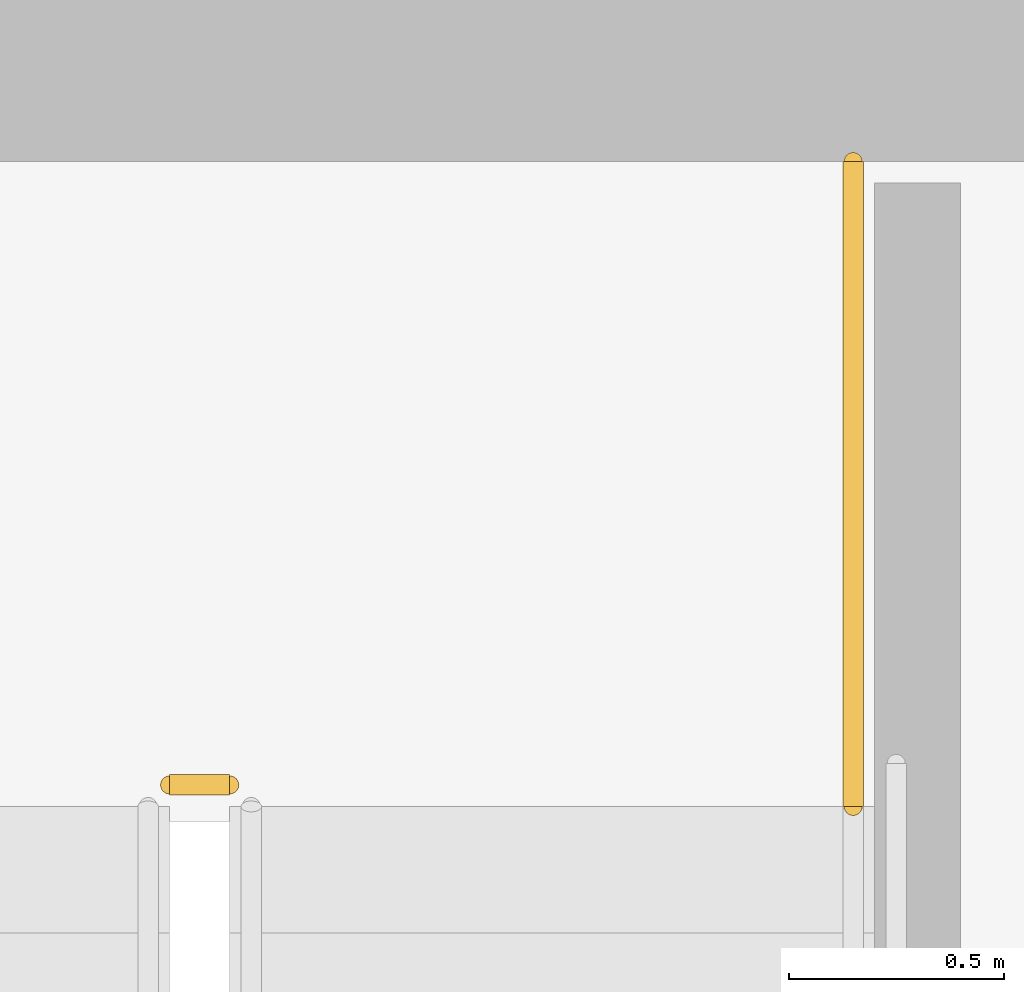
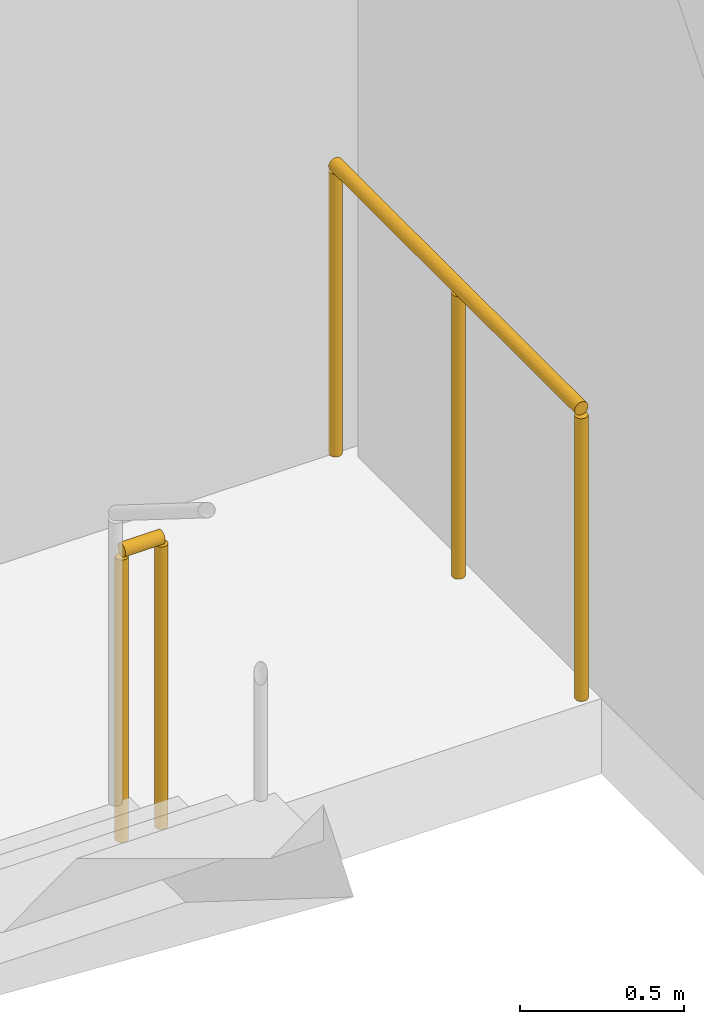
# One storey, part 26 of 26: 2 railings.
"""IFC4 building model written with IfcOpenShell, lengths in metres."""

import ifcopenshell
import ifcopenshell.guid

model = None  # the IFC model being written
_history = None  # IfcOwnerHistory: only IFC2X3 demands one
_inside = {}  # id of a spatial element -> (the spatial element, [elements in it])
_under = {}  # id of a project, library or spatial element -> (it, [spatial elements below it])
_declared = {}  # id of a project -> (the project, [libraries it declares])
_typed = {}  # id of a type object -> (the type object, [elements of that type])
_made_of = {}  # id of a material, layer set ... -> (it, [elements and type objects made of it])


def new_model(schema):
    """Start an empty IFC model of exactly this schema.

    Asked for "IFC4X3", IfcOpenShell would pick the latest addendum, in which some entities
    have other attributes; the version numbers below select the first issue.
    IFC2X3 requires an IfcOwnerHistory on every rooted entity: one is made here for all.
    """
    global model, _history
    if schema == "IFC4X3":
        model = ifcopenshell.file(schema_version=(4, 3, 0, 0))
    else:
        model = ifcopenshell.file(schema=schema)
    _inside.clear()
    _under.clear()
    _declared.clear()
    _typed.clear()
    _made_of.clear()
    _history = None
    if model.schema == "IFC2X3":
        org = make("IfcOrganization", Name="unknown")
        user = make(
            "IfcPersonAndOrganization",
            ThePerson=make("IfcPerson", FamilyName="unknown"),
            TheOrganization=org,
        )
        app = make(
            "IfcApplication",
            ApplicationDeveloper=org,
            Version="unknown",
            ApplicationFullName="unknown",
            ApplicationIdentifier="unknown",
        )
        _history = make(
            "IfcOwnerHistory",
            OwningUser=user,
            OwningApplication=app,
            ChangeAction="ADDED",
            CreationDate=0,
        )
    return model


def make(cls, **values):
    """One entity of the class cls with the attributes given. An attribute that is None is left unset."""
    return model.create_entity(
        cls, **{name: value for name, value in values.items() if value is not None}
    )


def rooted(cls, **values):
    """An entity with a GlobalId (a new one), such as an element, a storey or a relation."""
    return make(cls, GlobalId=ifcopenshell.guid.new(), OwnerHistory=_history, **values)


def si_unit(unit_type, name, prefix=None):
    """IfcSIUnit, for example si_unit("LENGTHUNIT", "METRE", prefix="MILLI")."""
    return make("IfcSIUnit", UnitType=unit_type, Prefix=prefix, Name=name)


def assignment(units):
    """IfcUnitAssignment: the units of a project."""
    return None if units is None else make("IfcUnitAssignment", Units=units)


def point(xyz):
    """IfcCartesianPoint."""
    return None if xyz is None else make("IfcCartesianPoint", Coordinates=xyz)


def direction(xyz):
    """IfcDirection."""
    return None if xyz is None else make("IfcDirection", DirectionRatios=xyz)


def frame(location, z_axis=None, x_axis=None):
    """IfcAxis2Placement3D, a coordinate frame: its origin and axes. An axis left out is left unset."""
    return make(
        "IfcAxis2Placement3D",
        Location=point(location),
        Axis=direction(z_axis),
        RefDirection=direction(x_axis),
    )


def frame_2d(location, x_axis=None):
    """IfcAxis2Placement2D, a coordinate frame in the plane: its origin and x axis."""
    return make(
        "IfcAxis2Placement2D", Location=point(location), RefDirection=direction(x_axis)
    )


def origin():
    """The frame at (0, 0, 0) with its axes left unset."""
    return frame((0.0, 0.0, 0.0))


def origin_2d():
    """The frame at (0, 0) in the plane with its x axis left unset."""
    return frame_2d((0.0, 0.0))


def place(relative_to, where):
    """IfcLocalPlacement: puts the frame where relative to a parent placement (None: the world)."""
    return make(
        "IfcLocalPlacement", PlacementRelTo=relative_to, RelativePlacement=where
    )


def context(
    kind, dimensions, precision=None, world=None, true_north=None, identifier=None
):
    """IfcGeometricRepresentationContext, for example the 3D "Model" context."""
    return make(
        "IfcGeometricRepresentationContext",
        ContextIdentifier=identifier,
        ContextType=kind,
        CoordinateSpaceDimension=dimensions,
        Precision=precision,
        WorldCoordinateSystem=world,
        TrueNorth=true_north,
    )


def subcontext(parent, identifier, kind, view, scale=None):
    """IfcGeometricRepresentationSubContext, for example "Body" below "Model"."""
    return make(
        "IfcGeometricRepresentationSubContext",
        ContextIdentifier=identifier,
        ContextType=kind,
        ParentContext=parent,
        TargetScale=scale,
        TargetView=view,
    )


def project(units=None, contexts=None):
    """IfcProject with its units and contexts."""
    return rooted(
        "IfcProject",
        Name="project",
        RepresentationContexts=contexts,
        UnitsInContext=assignment(units),
    )


def spatial(cls, under=None, at=None, **own):
    """A site, building, storey or space (cls), placed at a placement, below another one or the project."""
    s = rooted(cls, ObjectPlacement=at, **own)
    if under is not None:
        _under.setdefault(under.id(), (under, []))[1].append(s)
    return s


def profile(cls, at=None, kind="AREA", **sizes):
    """A parametric profile (cls). Its sizes go by their IFC names, for example OverallWidth=200.0."""
    return make(cls, ProfileType=kind, Position=at, **sizes)


def circle(**sizes):
    """IfcCircleProfileDef."""
    return profile("IfcCircleProfileDef", **sizes)


def extrude(swept, where, along, depth):
    """IfcExtrudedAreaSolid: the profile swept, set in the frame where, extruded along a direction by depth."""
    return make(
        "IfcExtrudedAreaSolid",
        SweptArea=swept,
        Position=where,
        ExtrudedDirection=direction(along),
        Depth=depth,
    )


def shape(context_of_items, identifier, shape_type, items):
    """IfcShapeRepresentation: the items that make up one representation, for example the "Body"."""
    return make(
        "IfcShapeRepresentation",
        ContextOfItems=context_of_items,
        RepresentationIdentifier=identifier,
        RepresentationType=shape_type,
        Items=items,
    )


def material(Name=None, Category=None):
    """IfcMaterial."""
    return make("IfcMaterial", Name=Name, Category=Category)


def layer(
    of_material, thickness, ventilated=None, Name=None, Category=None, Priority=None
):
    """IfcMaterialLayer: one layer of a wall or slab, of a material (None: an air gap)."""
    return make(
        "IfcMaterialLayer",
        Material=of_material,
        LayerThickness=thickness,
        IsVentilated=ventilated,
        Name=Name,
        Category=Category,
        Priority=Priority,
    )


def layer_set(layers, Name=None):
    """IfcMaterialLayerSet."""
    return make("IfcMaterialLayerSet", MaterialLayers=layers, LayerSetName=Name)


def made_of(thing, what):
    """Note that an element or type object is made of a material, layer set ...; save() writes the relation."""
    if what is not None:
        _made_of.setdefault(what.id(), (what, []))[1].append(thing)
    return thing


def type_object(cls, material=None, **own):
    """A type object (cls), such as IfcWallType, which elements share."""
    return made_of(rooted(cls, **own), material)


def element(
    cls,
    number,
    at=None,
    inside=None,
    cuts=None,
    type_object=None,
    material=None,
    context=None,
    identifier="Body",
    shape_type=None,
    held_by="IfcProductDefinitionShape",
    body=None,
    shapes=None,
    **own,
):
    """One element of the class cls, such as IfcWall. Its Tag is "e" and its number.

    at: its placement. inside: the storey or other place that contains it. cuts: it is an
    opening in that element (IfcRelVoidsElement). A single representation is given by context,
    identifier, shape_type and body (its items); several are given by shapes. held_by: the class
    of the entity that holds the representations. save() writes the other relations.
    """
    e = rooted(cls, Tag="e%d" % number, ObjectPlacement=at, **own)
    if body is not None:
        shapes = [shape(context, identifier, shape_type, body)]
    if shapes is not None:
        e.Representation = make(held_by, Representations=shapes)
    if inside is not None:
        _inside.setdefault(inside.id(), (inside, []))[1].append(e)
    if cuts is not None:
        rooted(
            "IfcRelVoidsElement", RelatingBuildingElement=cuts, RelatedOpeningElement=e
        )
    if type_object is not None:
        _typed.setdefault(type_object.id(), (type_object, []))[1].append(e)
    return made_of(e, material)


def aggregate(whole, parts):
    """IfcRelAggregates: a whole, such as a stair, and the parts it consists of."""
    return rooted("IfcRelAggregates", RelatingObject=whole, RelatedObjects=parts)


def save(model, path):
    """Write the relations noted so far, then the file.

    IfcRelAggregates (storeys below a building ...), IfcRelContainedInSpatialStructure (elements
    in a storey), IfcRelDefinesByType, IfcRelAssociatesMaterial and IfcRelDeclares: one each for
    every whole, place, type object, material and project.
    """
    for whole, parts in _under.values():
        aggregate(whole, parts)
    for where, things in _inside.values():
        rooted(
            "IfcRelContainedInSpatialStructure",
            RelatedElements=things,
            RelatingStructure=where,
        )
    for kind, things in _typed.values():
        rooted("IfcRelDefinesByType", RelatedObjects=things, RelatingType=kind)
    for what, things in _made_of.values():
        rooted("IfcRelAssociatesMaterial", RelatedObjects=things, RelatingMaterial=what)
    for by, libraries in _declared.values():
        rooted("IfcRelDeclares", RelatingContext=by, RelatedDefinitions=libraries)
    model.write(path)


model = new_model("IFC4")

# Units and contexts
model_context = context("Model", 3, precision=1e-05, world=origin(), true_north=direction((0.0, 1.0)))
body_context = subcontext(model_context, "Body", "Model", "MODEL_VIEW")
ifc_project = project(units=[si_unit("LENGTHUNIT", "METRE"), si_unit("AREAUNIT", "SQUARE_METRE"), si_unit("VOLUMEUNIT", "CUBIC_METRE"), si_unit("PLANEANGLEUNIT", "RADIAN"), si_unit("MASSUNIT", "GRAM", prefix="KILO")], contexts=[model_context])

# Site, building, storey
site_placement = place(None, origin())
site = spatial("IfcSite", under=ifc_project, at=site_placement, CompositionType="ELEMENT")
building_placement = place(site_placement, origin())
building = spatial("IfcBuilding", under=site, at=building_placement, Name="Ndaravel Arena Tower", CompositionType="ELEMENT")
storey_placement = place(building_placement, frame((0.0, 0.0, 117.39990234375)))
storey = spatial("IfcBuildingStorey", under=building, at=storey_placement, Name="L27", CompositionType="ELEMENT", Elevation=117.39990234375)

# Railings
ifc_material = material(Name="Steel S355", Category="steel")
ifc_layer = layer(ifc_material, 0.06005859375)
ifc_layer_set = layer_set([ifc_layer], Name="Steel S355")
railing_type = type_object("IfcRailingType", Name="RAIL-STAIR-GD1100", PredefinedType="GUARDRAIL", material=ifc_layer_set)
railing_1_placement = place(storey_placement, frame((55.10009765625, 13.300048828125, 0.0)))
element("IfcRailing", 1, at=railing_1_placement, inside=storey, type_object=railing_type, Name="L27 ST-3 stair guard 4", PredefinedType="GUARDRAIL", context=body_context, shape_type="SweptSolid", body=[
    extrude(circle(Radius=0.02392578125, at=origin_2d()), frame((0.0, 0.0, 1.076171875), z_axis=(1.0, 0.0, 0.0), x_axis=(0.0, 1.0, 0.0)), (0.0, 0.0, 1.0), 0.139892578125),
    extrude(circle(Radius=0.02099609375, at=origin_2d()), origin(), (0.0, 0.0, 1.0), 1.052001953125),
    extrude(circle(Radius=0.02099609375, at=origin_2d()), frame((0.139892578125, 0.0, 0.0)), (0.0, 0.0, 1.0), 1.052001953125),
])
railing_2_placement = place(storey_placement, frame((56.68994140625, 14.75, 0.0)))
element("IfcRailing", 2, at=railing_2_placement, inside=storey, type_object=railing_type, Name="L27 ST-3 stair guard 5", PredefinedType="GUARDRAIL", context=body_context, shape_type="SweptSolid", body=[
    extrude(circle(Radius=0.02392578125, at=origin_2d()), frame((0.0, 0.0, 1.076171875), z_axis=(0.0, -1.0, 0.0), x_axis=(1.0, 0.0, 0.0)), (0.0, 0.0, 1.0), 1.5),
    extrude(circle(Radius=0.02099609375, at=origin_2d()), origin(), (0.0, 0.0, 1.0), 1.052001953125),
    extrude(circle(Radius=0.02099609375, at=origin_2d()), frame((0.0, -0.75, 0.0)), (0.0, 0.0, 1.0), 1.052001953125),
    extrude(circle(Radius=0.02099609375, at=origin_2d()), frame((0.0, -1.5, 0.0)), (0.0, 0.0, 1.0), 1.052001953125),
])

save(model, "model.ifc")
